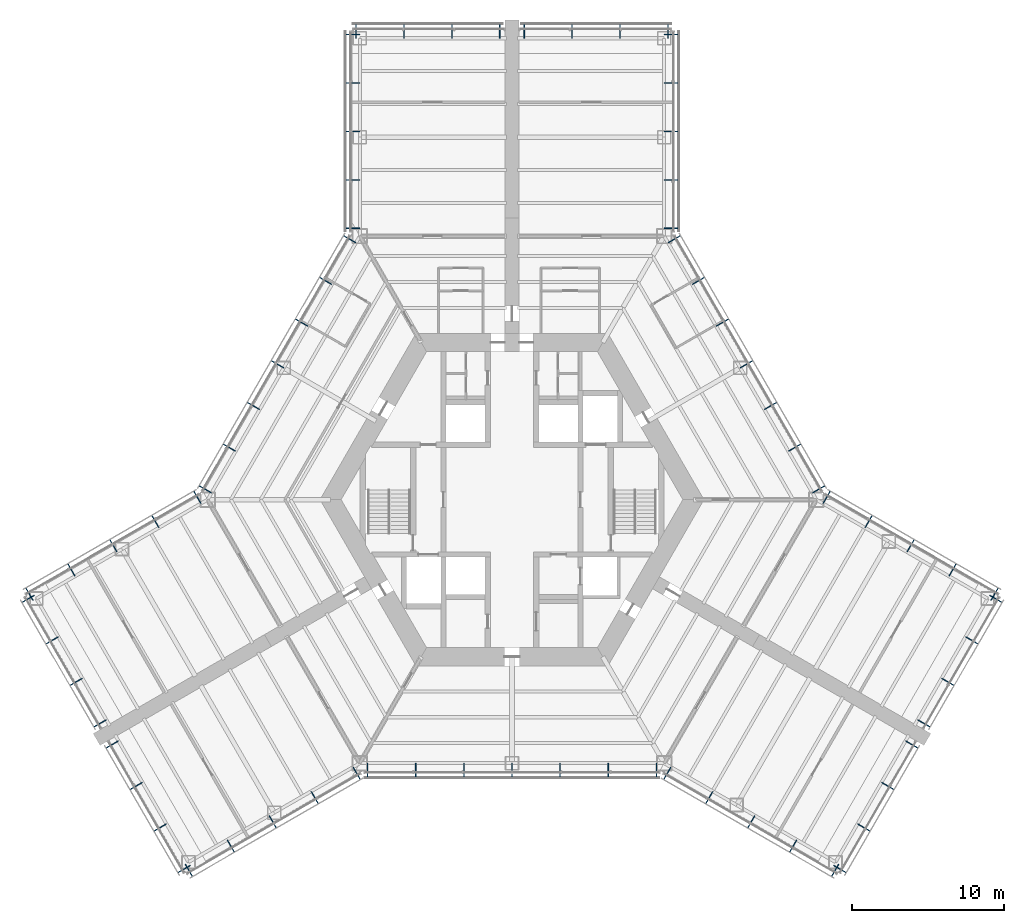
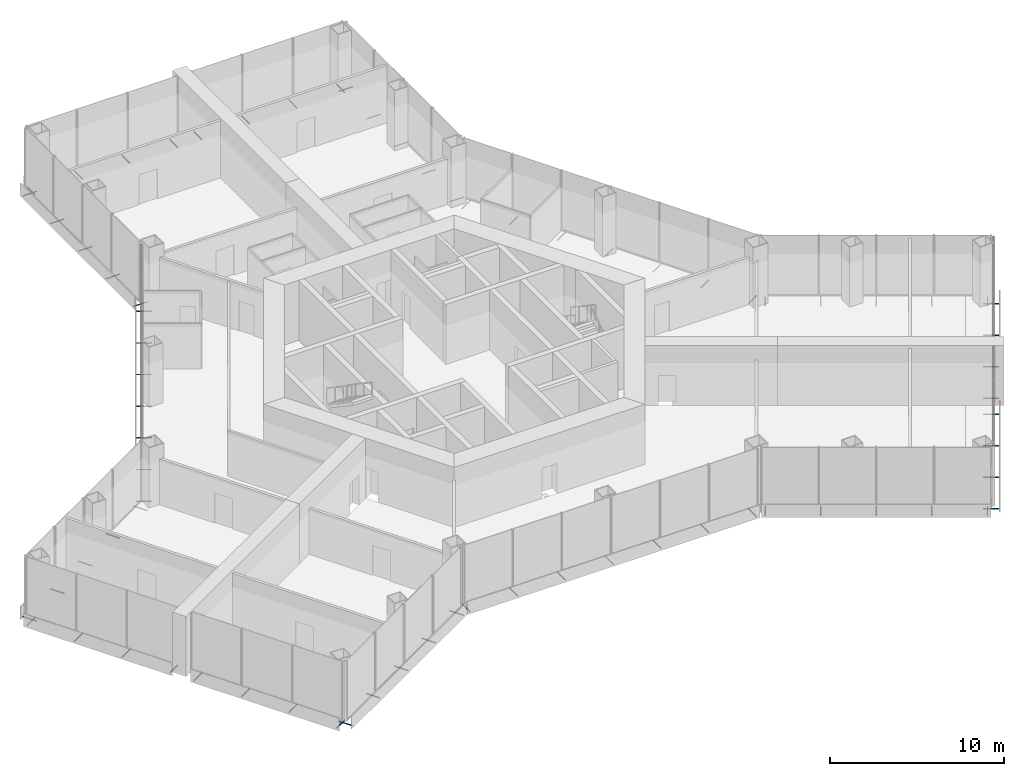
# One storey, part 14 of 16: 75 discrete accessories.
"""IFC4 building model written with IfcOpenShell, lengths in metres."""

import ifcopenshell
import ifcopenshell.guid

model = None  # the IFC model being written
_history = None  # IfcOwnerHistory: only IFC2X3 demands one
_inside = {}  # id of a spatial element -> (the spatial element, [elements in it])
_under = {}  # id of a project, library or spatial element -> (it, [spatial elements below it])
_declared = {}  # id of a project -> (the project, [libraries it declares])
_typed = {}  # id of a type object -> (the type object, [elements of that type])
_made_of = {}  # id of a material, layer set ... -> (it, [elements and type objects made of it])


def new_model(schema):
    """Start an empty IFC model of exactly this schema.

    Asked for "IFC4X3", IfcOpenShell would pick the latest addendum, in which some entities
    have other attributes; the version numbers below select the first issue.
    IFC2X3 requires an IfcOwnerHistory on every rooted entity: one is made here for all.
    """
    global model, _history
    if schema == "IFC4X3":
        model = ifcopenshell.file(schema_version=(4, 3, 0, 0))
    else:
        model = ifcopenshell.file(schema=schema)
    _inside.clear()
    _under.clear()
    _declared.clear()
    _typed.clear()
    _made_of.clear()
    _history = None
    if model.schema == "IFC2X3":
        org = make("IfcOrganization", Name="unknown")
        user = make(
            "IfcPersonAndOrganization",
            ThePerson=make("IfcPerson", FamilyName="unknown"),
            TheOrganization=org,
        )
        app = make(
            "IfcApplication",
            ApplicationDeveloper=org,
            Version="unknown",
            ApplicationFullName="unknown",
            ApplicationIdentifier="unknown",
        )
        _history = make(
            "IfcOwnerHistory",
            OwningUser=user,
            OwningApplication=app,
            ChangeAction="ADDED",
            CreationDate=0,
        )
    return model


def make(cls, **values):
    """One entity of the class cls with the attributes given. An attribute that is None is left unset."""
    return model.create_entity(
        cls, **{name: value for name, value in values.items() if value is not None}
    )


def rooted(cls, **values):
    """An entity with a GlobalId (a new one), such as an element, a storey or a relation."""
    return make(cls, GlobalId=ifcopenshell.guid.new(), OwnerHistory=_history, **values)


def si_unit(unit_type, name, prefix=None):
    """IfcSIUnit, for example si_unit("LENGTHUNIT", "METRE", prefix="MILLI")."""
    return make("IfcSIUnit", UnitType=unit_type, Prefix=prefix, Name=name)


def assignment(units):
    """IfcUnitAssignment: the units of a project."""
    return None if units is None else make("IfcUnitAssignment", Units=units)


def point(xyz):
    """IfcCartesianPoint."""
    return None if xyz is None else make("IfcCartesianPoint", Coordinates=xyz)


def direction(xyz):
    """IfcDirection."""
    return None if xyz is None else make("IfcDirection", DirectionRatios=xyz)


def frame(location, z_axis=None, x_axis=None):
    """IfcAxis2Placement3D, a coordinate frame: its origin and axes. An axis left out is left unset."""
    return make(
        "IfcAxis2Placement3D",
        Location=point(location),
        Axis=direction(z_axis),
        RefDirection=direction(x_axis),
    )


def frame_2d(location, x_axis=None):
    """IfcAxis2Placement2D, a coordinate frame in the plane: its origin and x axis."""
    return make(
        "IfcAxis2Placement2D", Location=point(location), RefDirection=direction(x_axis)
    )


def origin():
    """The frame at (0, 0, 0) with its axes left unset."""
    return frame((0.0, 0.0, 0.0))


def origin_2d():
    """The frame at (0, 0) in the plane with its x axis left unset."""
    return frame_2d((0.0, 0.0))


def place(relative_to, where):
    """IfcLocalPlacement: puts the frame where relative to a parent placement (None: the world)."""
    return make(
        "IfcLocalPlacement", PlacementRelTo=relative_to, RelativePlacement=where
    )


def context(
    kind, dimensions, precision=None, world=None, true_north=None, identifier=None
):
    """IfcGeometricRepresentationContext, for example the 3D "Model" context."""
    return make(
        "IfcGeometricRepresentationContext",
        ContextIdentifier=identifier,
        ContextType=kind,
        CoordinateSpaceDimension=dimensions,
        Precision=precision,
        WorldCoordinateSystem=world,
        TrueNorth=true_north,
    )


def subcontext(parent, identifier, kind, view, scale=None):
    """IfcGeometricRepresentationSubContext, for example "Body" below "Model"."""
    return make(
        "IfcGeometricRepresentationSubContext",
        ContextIdentifier=identifier,
        ContextType=kind,
        ParentContext=parent,
        TargetScale=scale,
        TargetView=view,
    )


def project(units=None, contexts=None):
    """IfcProject with its units and contexts."""
    return rooted(
        "IfcProject",
        Name="project",
        RepresentationContexts=contexts,
        UnitsInContext=assignment(units),
    )


def spatial(cls, under=None, at=None, **own):
    """A site, building, storey or space (cls), placed at a placement, below another one or the project."""
    s = rooted(cls, ObjectPlacement=at, **own)
    if under is not None:
        _under.setdefault(under.id(), (under, []))[1].append(s)
    return s


def profile(cls, at=None, kind="AREA", **sizes):
    """A parametric profile (cls). Its sizes go by their IFC names, for example OverallWidth=200.0."""
    return make(cls, ProfileType=kind, Position=at, **sizes)


def hollow_circle(**sizes):
    """IfcCircleHollowProfileDef."""
    return profile("IfcCircleHollowProfileDef", **sizes)


def extrude(swept, where, along, depth):
    """IfcExtrudedAreaSolid: the profile swept, set in the frame where, extruded along a direction by depth."""
    return make(
        "IfcExtrudedAreaSolid",
        SweptArea=swept,
        Position=where,
        ExtrudedDirection=direction(along),
        Depth=depth,
    )


def shape(context_of_items, identifier, shape_type, items):
    """IfcShapeRepresentation: the items that make up one representation, for example the "Body"."""
    return make(
        "IfcShapeRepresentation",
        ContextOfItems=context_of_items,
        RepresentationIdentifier=identifier,
        RepresentationType=shape_type,
        Items=items,
    )


def material(Name=None, Category=None):
    """IfcMaterial."""
    return make("IfcMaterial", Name=Name, Category=Category)


def material_profile(
    of_material, cross_section, Name=None, Category=None, Priority=None
):
    """IfcMaterialProfile: a cross section and its material."""
    return make(
        "IfcMaterialProfile",
        Name=Name,
        Material=of_material,
        Profile=cross_section,
        Priority=Priority,
        Category=Category,
    )


def profile_set(profiles, Name=None, composite=None):
    """IfcMaterialProfileSet."""
    return make(
        "IfcMaterialProfileSet",
        Name=Name,
        MaterialProfiles=profiles,
        CompositeProfile=composite,
    )


def made_of(thing, what):
    """Note that an element or type object is made of a material, layer set ...; save() writes the relation."""
    if what is not None:
        _made_of.setdefault(what.id(), (what, []))[1].append(thing)
    return thing


def type_object(cls, material=None, **own):
    """A type object (cls), such as IfcWallType, which elements share."""
    return made_of(rooted(cls, **own), material)


def element(
    cls,
    number,
    at=None,
    inside=None,
    cuts=None,
    type_object=None,
    material=None,
    context=None,
    identifier="Body",
    shape_type=None,
    held_by="IfcProductDefinitionShape",
    body=None,
    shapes=None,
    **own,
):
    """One element of the class cls, such as IfcWall. Its Tag is "e" and its number.

    at: its placement. inside: the storey or other place that contains it. cuts: it is an
    opening in that element (IfcRelVoidsElement). A single representation is given by context,
    identifier, shape_type and body (its items); several are given by shapes. held_by: the class
    of the entity that holds the representations. save() writes the other relations.
    """
    e = rooted(cls, Tag="e%d" % number, ObjectPlacement=at, **own)
    if body is not None:
        shapes = [shape(context, identifier, shape_type, body)]
    if shapes is not None:
        e.Representation = make(held_by, Representations=shapes)
    if inside is not None:
        _inside.setdefault(inside.id(), (inside, []))[1].append(e)
    if cuts is not None:
        rooted(
            "IfcRelVoidsElement", RelatingBuildingElement=cuts, RelatedOpeningElement=e
        )
    if type_object is not None:
        _typed.setdefault(type_object.id(), (type_object, []))[1].append(e)
    return made_of(e, material)


def aggregate(whole, parts):
    """IfcRelAggregates: a whole, such as a stair, and the parts it consists of."""
    return rooted("IfcRelAggregates", RelatingObject=whole, RelatedObjects=parts)


def save(model, path):
    """Write the relations noted so far, then the file.

    IfcRelAggregates (storeys below a building ...), IfcRelContainedInSpatialStructure (elements
    in a storey), IfcRelDefinesByType, IfcRelAssociatesMaterial and IfcRelDeclares: one each for
    every whole, place, type object, material and project.
    """
    for whole, parts in _under.values():
        aggregate(whole, parts)
    for where, things in _inside.values():
        rooted(
            "IfcRelContainedInSpatialStructure",
            RelatedElements=things,
            RelatingStructure=where,
        )
    for kind, things in _typed.values():
        rooted("IfcRelDefinesByType", RelatedObjects=things, RelatingType=kind)
    for what, things in _made_of.values():
        rooted("IfcRelAssociatesMaterial", RelatedObjects=things, RelatingMaterial=what)
    for by, libraries in _declared.values():
        rooted("IfcRelDeclares", RelatingContext=by, RelatedDefinitions=libraries)
    model.write(path)


model = new_model("IFC4")

# Units and contexts
model_context = context("Model", 3, precision=1e-05, world=origin(), true_north=direction((0.0, 1.0)))
body_context = subcontext(model_context, "Body", "Model", "MODEL_VIEW")
ifc_project = project(units=[si_unit("LENGTHUNIT", "METRE"), si_unit("AREAUNIT", "SQUARE_METRE"), si_unit("VOLUMEUNIT", "CUBIC_METRE"), si_unit("PLANEANGLEUNIT", "RADIAN"), si_unit("MASSUNIT", "GRAM", prefix="KILO")], contexts=[model_context])

# Site, building, storey
site_placement = place(None, origin())
site = spatial("IfcSite", under=ifc_project, at=site_placement, CompositionType="ELEMENT")
building_placement = place(site_placement, origin())
building = spatial("IfcBuilding", under=site, at=building_placement, Name="Kasaneha Research Tower", CompositionType="ELEMENT")
storey_placement = place(building_placement, frame((0.0, 0.0, 18.39990234375)))
storey = spatial("IfcBuildingStorey", under=building, at=storey_placement, Name="L05", CompositionType="ELEMENT", Elevation=18.39990234375)

# Discrete accessories
ifc_material = material(Name="Steel STK400", Category="steel")
ifc_material_profile = material_profile(ifc_material, hollow_circle(Radius=0.0380859375, WallThickness=0.00390625, at=origin_2d()), Name="CHS-76.3x4.0")
ifc_profile_set = profile_set([ifc_material_profile], Name="Steel STK400")
discrete_accessory_type = type_object("IfcDiscreteAccessoryType", Name="Screen bracket CHS-76.3x4.0", PredefinedType="BRACKET", material=ifc_profile_set)
discrete_accessory_1_placement = place(storey_placement, frame((-21.474853515625, -23.945556640625, -0.349853515625), z_axis=(0.500021113727, -0.866013213425, 0.0), x_axis=(0.866013213425, 0.500021113727, 0.0)))
element("IfcDiscreteAccessory", 1, at=discrete_accessory_1_placement, inside=storey, type_object=discrete_accessory_type, Name="Screen bracket 1", PredefinedType="BRACKET", context=body_context, shape_type="SweptSolid", body=[
    extrude(hollow_circle(Radius=0.0380859375, WallThickness=0.00390625, at=origin_2d()), origin(), (0.0, 0.0, 1.0), 0.919921875),
])
discrete_accessory_2_placement = place(storey_placement, frame((-18.716796875, -22.35302734375, -0.349853515625), z_axis=(0.500105201737, -0.865964657013, 0.0), x_axis=(0.865964657013, 0.500105201737, 0.0)))
element("IfcDiscreteAccessory", 2, at=discrete_accessory_2_placement, inside=storey, type_object=discrete_accessory_type, Name="Screen bracket 2", PredefinedType="BRACKET", context=body_context, shape_type="SweptSolid", body=[
    extrude(hollow_circle(Radius=0.0380859375, WallThickness=0.00390625, at=origin_2d()), origin(), (0.0, 0.0, 1.0), 0.920166015625),
])
discrete_accessory_3_placement = place(storey_placement, frame((-15.95849609375, -20.7607421875, -0.349853515625), z_axis=(0.500021113727, -0.866013213425, 0.0), x_axis=(0.866013213425, 0.500021113727, 0.0)))
element("IfcDiscreteAccessory", 3, at=discrete_accessory_3_placement, inside=storey, type_object=discrete_accessory_type, Name="Screen bracket 3", PredefinedType="BRACKET", context=body_context, shape_type="SweptSolid", body=[
    extrude(hollow_circle(Radius=0.0380859375, WallThickness=0.00390625, at=origin_2d()), origin(), (0.0, 0.0, 1.0), 0.919921875),
])
discrete_accessory_4_placement = place(storey_placement, frame((-13.200439453125, -19.168212890625, -0.349853515625), z_axis=(0.499906209203, -0.866079547155, 0.0), x_axis=(0.866079547155, 0.499906209203, 0.0)))
element("IfcDiscreteAccessory", 4, at=discrete_accessory_4_placement, inside=storey, type_object=discrete_accessory_type, Name="Screen bracket 4", PredefinedType="BRACKET", context=body_context, shape_type="SweptSolid", body=[
    extrude(hollow_circle(Radius=0.0380859375, WallThickness=0.00390625, at=origin_2d()), origin(), (0.0, 0.0, 1.0), 0.920166015625),
])
for number, where, z_axis, x_axis, name in (
    (5, (-10.4423828125, -17.575927734375, -0.349853515625), (0.500021113727, -0.866013213425, 0.0), (0.866013213425, 0.500021113727, 0.0), "Screen bracket 5"),
    (6, (-9.4892578125, -17.320556640625, -0.349853515625), (0.0, -1.0, 0.0), (1.0, 0.0, 0.0), "Screen bracket 1"),
    (7, (-6.326171875, -17.320556640625, -0.349853515625), (0.0, -1.0, 0.0), (1.0, 0.0, 0.0), "Screen bracket 2"),
    (8, (-3.1630859375, -17.320556640625, -0.349853515625), (0.0, -1.0, 0.0), (1.0, 0.0, 0.0), "Screen bracket 3"),
    (9, (0.0, -17.320556640625, -0.349853515625), (0.0, -1.0, 0.0), (1.0, 0.0, 0.0), "Screen bracket 4"),
    (10, (3.1630859375, -17.320556640625, -0.349853515625), (0.0, -1.0, 0.0), (1.0, 0.0, 0.0), "Screen bracket 5"),
    (11, (6.326171875, -17.320556640625, -0.349853515625), (0.0, -1.0, 0.0), (1.0, 0.0, 0.0), "Screen bracket 6"),
    (12, (9.4892578125, -17.320556640625, -0.349853515625), (0.0, -1.0, 0.0), (1.0, 0.0, 0.0), "Screen bracket 7"),
    (13, (10.4423828125, -17.575927734375, -0.349853515625), (-0.500021113727, -0.866013213425, 0.0), (0.866013213425, -0.500021113727, 0.0), "Screen bracket 1"),
):
    element("IfcDiscreteAccessory", number, at=place(storey_placement, frame(where, z_axis=z_axis, x_axis=x_axis)), inside=storey, type_object=discrete_accessory_type, Name=name, PredefinedType="BRACKET", context=body_context, shape_type="SweptSolid", body=[
        extrude(hollow_circle(Radius=0.0380859375, WallThickness=0.00390625, at=origin_2d()), origin(), (0.0, 0.0, 1.0), 0.919921875),
    ])
discrete_accessory_5_placement = place(storey_placement, frame((13.200439453125, -19.168212890625, -0.349853515625), z_axis=(-0.499906209203, -0.866079547155, 0.0), x_axis=(0.866079547155, -0.499906209203, 0.0)))
element("IfcDiscreteAccessory", 14, at=discrete_accessory_5_placement, inside=storey, type_object=discrete_accessory_type, Name="Screen bracket 2", PredefinedType="BRACKET", context=body_context, shape_type="SweptSolid", body=[
    extrude(hollow_circle(Radius=0.0380859375, WallThickness=0.00390625, at=origin_2d()), origin(), (0.0, 0.0, 1.0), 0.920166015625),
])
discrete_accessory_6_placement = place(storey_placement, frame((15.95849609375, -20.7607421875, -0.349853515625), z_axis=(-0.500021113727, -0.866013213425, 0.0), x_axis=(0.866013213425, -0.500021113727, 0.0)))
element("IfcDiscreteAccessory", 15, at=discrete_accessory_6_placement, inside=storey, type_object=discrete_accessory_type, Name="Screen bracket 3", PredefinedType="BRACKET", context=body_context, shape_type="SweptSolid", body=[
    extrude(hollow_circle(Radius=0.0380859375, WallThickness=0.00390625, at=origin_2d()), origin(), (0.0, 0.0, 1.0), 0.919921875),
])
discrete_accessory_7_placement = place(storey_placement, frame((18.716796875, -22.35302734375, -0.349853515625), z_axis=(-0.500105201737, -0.865964657013, 0.0), x_axis=(0.865964657013, -0.500105201737, 0.0)))
element("IfcDiscreteAccessory", 16, at=discrete_accessory_7_placement, inside=storey, type_object=discrete_accessory_type, Name="Screen bracket 4", PredefinedType="BRACKET", context=body_context, shape_type="SweptSolid", body=[
    extrude(hollow_circle(Radius=0.0380859375, WallThickness=0.00390625, at=origin_2d()), origin(), (0.0, 0.0, 1.0), 0.920166015625),
])
discrete_accessory_8_placement = place(storey_placement, frame((21.474853515625, -23.945556640625, -0.349853515625), z_axis=(-0.500021113727, -0.866013213425, 0.0), x_axis=(0.866013213425, -0.500021113727, 0.0)))
element("IfcDiscreteAccessory", 17, at=discrete_accessory_8_placement, inside=storey, type_object=discrete_accessory_type, Name="Screen bracket 5", PredefinedType="BRACKET", context=body_context, shape_type="SweptSolid", body=[
    extrude(hollow_circle(Radius=0.0380859375, WallThickness=0.00390625, at=origin_2d()), origin(), (0.0, 0.0, 1.0), 0.919921875),
])
for number, where, z_axis, x_axis, name in (
    (18, (21.13330078125, -24.037109375, -0.349853515625), (0.866079547155, -0.499906209203, 0.0), (0.499906209203, 0.866079547155, 0.0), "Screen bracket 1"),
    (19, (22.708251953125, -21.30908203125, -0.349853515625), (0.866079547155, -0.499906209203, 0.0), (0.499906209203, 0.866079547155, 0.0), "Screen bracket 2"),
):
    element("IfcDiscreteAccessory", number, at=place(storey_placement, frame(where, z_axis=z_axis, x_axis=x_axis)), inside=storey, type_object=discrete_accessory_type, Name=name, PredefinedType="BRACKET", context=body_context, shape_type="SweptSolid", body=[
        extrude(hollow_circle(Radius=0.0380859375, WallThickness=0.00390625, at=origin_2d()), origin(), (0.0, 0.0, 1.0), 0.920166015625),
    ])
for number, where, z_axis, x_axis, name in (
    (20, (24.283447265625, -18.5810546875, -0.349853515625), (0.866013213425, -0.500021113727, 0.0), (0.500021113727, 0.866013213425, 0.0), "Screen bracket 3"),
    (21, (25.8583984375, -15.85302734375, -0.349853515625), (0.866013213425, -0.500021113727, 0.0), (0.500021113727, 0.866013213425, 0.0), "Screen bracket 4"),
    (22, (26.658447265625, -14.467529296875, -0.349853515625), (0.866013213425, -0.500021113727, 0.0), (0.500021113727, 0.866013213425, 0.0), "Screen bracket 1"),
    (23, (28.2333984375, -11.739501953125, -0.349853515625), (0.866013213425, -0.500021113727, 0.0), (0.500021113727, 0.866013213425, 0.0), "Screen bracket 2"),
    (24, (29.808349609375, -9.011474609375, -0.349853515625), (0.866013213425, -0.500021113727, 0.0), (0.500021113727, 0.866013213425, 0.0), "Screen bracket 3"),
):
    element("IfcDiscreteAccessory", number, at=place(storey_placement, frame(where, z_axis=z_axis, x_axis=x_axis)), inside=storey, type_object=discrete_accessory_type, Name=name, PredefinedType="BRACKET", context=body_context, shape_type="SweptSolid", body=[
        extrude(hollow_circle(Radius=0.0380859375, WallThickness=0.00390625, at=origin_2d()), origin(), (0.0, 0.0, 1.0), 0.919921875),
    ])
discrete_accessory_9_placement = place(storey_placement, frame((31.38330078125, -6.283447265625, -0.349853515625), z_axis=(0.866079547155, -0.499906209203, 0.0), x_axis=(0.499906209203, 0.866079547155, 0.0)))
element("IfcDiscreteAccessory", 25, at=discrete_accessory_9_placement, inside=storey, type_object=discrete_accessory_type, Name="Screen bracket 4", PredefinedType="BRACKET", context=body_context, shape_type="SweptSolid", body=[
    extrude(hollow_circle(Radius=0.0380859375, WallThickness=0.00390625, at=origin_2d()), origin(), (0.0, 0.0, 1.0), 0.920166015625),
])
discrete_accessory_10_placement = place(storey_placement, frame((31.474853515625, -6.625, -0.349853515625), z_axis=(0.500021113727, 0.866013213425, 0.0), x_axis=(-0.866013213425, 0.500021113727, 0.0)))
element("IfcDiscreteAccessory", 26, at=discrete_accessory_10_placement, inside=storey, type_object=discrete_accessory_type, Name="Screen bracket 1", PredefinedType="BRACKET", context=body_context, shape_type="SweptSolid", body=[
    extrude(hollow_circle(Radius=0.0380859375, WallThickness=0.00390625, at=origin_2d()), origin(), (0.0, 0.0, 1.0), 0.919921875),
])
discrete_accessory_11_placement = place(storey_placement, frame((28.716796875, -5.03271484375, -0.349853515625), z_axis=(0.499906209203, 0.866079547155, 0.0), x_axis=(-0.866079547155, 0.499906209203, 0.0)))
element("IfcDiscreteAccessory", 27, at=discrete_accessory_11_placement, inside=storey, type_object=discrete_accessory_type, Name="Screen bracket 2", PredefinedType="BRACKET", context=body_context, shape_type="SweptSolid", body=[
    extrude(hollow_circle(Radius=0.0380859375, WallThickness=0.00390625, at=origin_2d()), origin(), (0.0, 0.0, 1.0), 0.920166015625),
])
discrete_accessory_12_placement = place(storey_placement, frame((25.95849609375, -3.440185546875, -0.349853515625), z_axis=(0.500220121494, 0.865898279276, 0.0), x_axis=(-0.865898279276, 0.500220121494, 0.0)))
element("IfcDiscreteAccessory", 28, at=discrete_accessory_12_placement, inside=storey, type_object=discrete_accessory_type, Name="Screen bracket 3", PredefinedType="BRACKET", context=body_context, shape_type="SweptSolid", body=[
    extrude(hollow_circle(Radius=0.0380859375, WallThickness=0.00390625, at=origin_2d()), origin(), (0.0, 0.0, 1.0), 0.919921875),
])
discrete_accessory_13_placement = place(storey_placement, frame((23.200439453125, -1.847900390625, -0.349853515625), z_axis=(0.499906209203, 0.866079547155, 0.0), x_axis=(-0.866079547155, 0.499906209203, 0.0)))
element("IfcDiscreteAccessory", 29, at=discrete_accessory_13_placement, inside=storey, type_object=discrete_accessory_type, Name="Screen bracket 4", PredefinedType="BRACKET", context=body_context, shape_type="SweptSolid", body=[
    extrude(hollow_circle(Radius=0.0380859375, WallThickness=0.00390625, at=origin_2d()), origin(), (0.0, 0.0, 1.0), 0.920166015625),
])
for number, where, z_axis, x_axis, name in (
    (30, (20.4423828125, -0.25537109375, -0.349853515625), (0.500021113727, 0.866013213425, 0.0), (-0.866013213425, 0.500021113727, 0.0), "Screen bracket 5"),
    (31, (19.74462890625, 0.4423828125, -0.349853515625), (0.866013213425, 0.500021113727, 0.0), (-0.500021113727, 0.866013213425, 0.0), "Screen bracket 1"),
    (32, (18.1630859375, 3.181640625, -0.349853515625), (0.866013213425, 0.500021113727, 0.0), (-0.500021113727, 0.866013213425, 0.0), "Screen bracket 2"),
    (33, (16.58154296875, 5.9208984375, -0.349853515625), (0.866013213425, 0.500021113727, 0.0), (-0.500021113727, 0.866013213425, 0.0), "Screen bracket 3"),
    (34, (15.0, 8.66015625, -0.349853515625), (0.865898279276, 0.500220121494, 0.0), (-0.500220121494, 0.865898279276, 0.0), "Screen bracket 4"),
    (35, (13.41845703125, 11.399658203125, -0.349853515625), (0.866013213425, 0.500021113727, 0.0), (-0.500021113727, 0.866013213425, 0.0), "Screen bracket 5"),
    (36, (11.8369140625, 14.138916015625, -0.349853515625), (0.866013213425, 0.500021113727, 0.0), (-0.500021113727, 0.866013213425, 0.0), "Screen bracket 6"),
):
    element("IfcDiscreteAccessory", number, at=place(storey_placement, frame(where, z_axis=z_axis, x_axis=x_axis)), inside=storey, type_object=discrete_accessory_type, Name=name, PredefinedType="BRACKET", context=body_context, shape_type="SweptSolid", body=[
        extrude(hollow_circle(Radius=0.0380859375, WallThickness=0.00390625, at=origin_2d()), origin(), (0.0, 0.0, 1.0), 0.919921875),
    ])
discrete_accessory_14_placement = place(storey_placement, frame((10.25537109375, 16.878173828125, -0.349853515625), z_axis=(0.866079547155, 0.499906209203, 0.0), x_axis=(-0.499906209203, 0.866079547155, 0.0)))
element("IfcDiscreteAccessory", 37, at=discrete_accessory_14_placement, inside=storey, type_object=discrete_accessory_type, Name="Screen bracket 7", PredefinedType="BRACKET", context=body_context, shape_type="SweptSolid", body=[
    extrude(hollow_circle(Radius=0.0380859375, WallThickness=0.00390625, at=origin_2d()), origin(), (0.0, 0.0, 1.0), 0.920166015625),
])
for number, where, z_axis, x_axis, name in (
    (38, (10.0, 17.831298828125, -0.349853515625), (1.0, 0.0, 0.0), (0.0, 1.0, 0.0), "Screen bracket 1"),
    (39, (10.0, 21.01611328125, -0.349853515625), (1.0, 0.0, 0.0), (0.0, 1.0, 0.0), "Screen bracket 2"),
    (40, (10.0, 24.200927734375, -0.349853515625), (1.0, 0.0, 0.0), (0.0, 1.0, 0.0), "Screen bracket 3"),
    (41, (10.0, 27.3857421875, -0.349853515625), (1.0, 0.0, 0.0), (0.0, 1.0, 0.0), "Screen bracket 4"),
    (42, (10.0, 30.570556640625, -0.349853515625), (1.0, 0.0, 0.0), (0.0, 1.0, 0.0), "Screen bracket 5"),
    (43, (10.25, 30.320556640625, -0.349853515625), (0.0, 1.0, 0.0), (-1.0, 0.0, 0.0), "Screen bracket 1"),
    (44, (7.10009765625, 30.320556640625, -0.349853515625), (0.0, 1.0, 0.0), (-1.0, 0.0, 0.0), "Screen bracket 2"),
    (45, (3.949951171875, 30.320556640625, -0.349853515625), (0.0, 1.0, 0.0), (-1.0, 0.0, 0.0), "Screen bracket 3"),
    (46, (0.800048828125, 30.320556640625, -0.349853515625), (0.0, 1.0, 0.0), (-1.0, 0.0, 0.0), "Screen bracket 4"),
    (47, (-0.800048828125, 30.320556640625, -0.349853515625), (0.0, 1.0, 0.0), (-1.0, 0.0, 0.0), "Screen bracket 1"),
    (48, (-3.949951171875, 30.320556640625, -0.349853515625), (0.0, 1.0, 0.0), (-1.0, 0.0, 0.0), "Screen bracket 2"),
    (49, (-7.10009765625, 30.320556640625, -0.349853515625), (0.0, 1.0, 0.0), (-1.0, 0.0, 0.0), "Screen bracket 3"),
    (50, (-10.25, 30.320556640625, -0.349853515625), (0.0, 1.0, 0.0), (-1.0, 0.0, 0.0), "Screen bracket 4"),
    (51, (-10.0, 30.570556640625, -0.349853515625), (-1.0, 0.0, 0.0), (0.0, -1.0, 0.0), "Screen bracket 1"),
    (52, (-10.0, 27.3857421875, -0.349853515625), (-1.0, 0.0, 0.0), (0.0, -1.0, 0.0), "Screen bracket 2"),
    (53, (-10.0, 24.200927734375, -0.349853515625), (-1.0, 0.0, 0.0), (0.0, -1.0, 0.0), "Screen bracket 3"),
    (54, (-10.0, 21.01611328125, -0.349853515625), (-1.0, 0.0, 0.0), (0.0, -1.0, 0.0), "Screen bracket 4"),
    (55, (-10.0, 17.831298828125, -0.349853515625), (-1.0, 0.0, 0.0), (0.0, -1.0, 0.0), "Screen bracket 5"),
):
    element("IfcDiscreteAccessory", number, at=place(storey_placement, frame(where, z_axis=z_axis, x_axis=x_axis)), inside=storey, type_object=discrete_accessory_type, Name=name, PredefinedType="BRACKET", context=body_context, shape_type="SweptSolid", body=[
        extrude(hollow_circle(Radius=0.0380859375, WallThickness=0.00390625, at=origin_2d()), origin(), (0.0, 0.0, 1.0), 0.919921875),
    ])
discrete_accessory_15_placement = place(storey_placement, frame((-10.25537109375, 16.878173828125, -0.349853515625), z_axis=(-0.866079547155, 0.499906209203, 0.0), x_axis=(-0.499906209203, -0.866079547155, 0.0)))
element("IfcDiscreteAccessory", 56, at=discrete_accessory_15_placement, inside=storey, type_object=discrete_accessory_type, Name="Screen bracket 1", PredefinedType="BRACKET", context=body_context, shape_type="SweptSolid", body=[
    extrude(hollow_circle(Radius=0.0380859375, WallThickness=0.00390625, at=origin_2d()), origin(), (0.0, 0.0, 1.0), 0.920166015625),
])
for number, where, z_axis, x_axis, name in (
    (57, (-11.8369140625, 14.138916015625, -0.349853515625), (-0.866013213425, 0.500021113727, 0.0), (-0.500021113727, -0.866013213425, 0.0), "Screen bracket 2"),
    (58, (-13.41845703125, 11.399658203125, -0.349853515625), (-0.866013213425, 0.500021113727, 0.0), (-0.500021113727, -0.866013213425, 0.0), "Screen bracket 3"),
    (59, (-15.0, 8.66015625, -0.349853515625), (-0.865898279276, 0.500220121494, 0.0), (-0.500220121494, -0.865898279276, 0.0), "Screen bracket 4"),
    (60, (-16.58154296875, 5.9208984375, -0.349853515625), (-0.866013213425, 0.500021113727, 0.0), (-0.500021113727, -0.866013213425, 0.0), "Screen bracket 5"),
    (61, (-18.1630859375, 3.181640625, -0.349853515625), (-0.866013213425, 0.500021113727, 0.0), (-0.500021113727, -0.866013213425, 0.0), "Screen bracket 6"),
    (62, (-19.74462890625, 0.4423828125, -0.349853515625), (-0.866013213425, 0.500021113727, 0.0), (-0.500021113727, -0.866013213425, 0.0), "Screen bracket 7"),
    (63, (-20.4423828125, -0.25537109375, -0.349853515625), (-0.500021113727, 0.866013213425, 0.0), (-0.866013213425, -0.500021113727, 0.0), "Screen bracket 1"),
):
    element("IfcDiscreteAccessory", number, at=place(storey_placement, frame(where, z_axis=z_axis, x_axis=x_axis)), inside=storey, type_object=discrete_accessory_type, Name=name, PredefinedType="BRACKET", context=body_context, shape_type="SweptSolid", body=[
        extrude(hollow_circle(Radius=0.0380859375, WallThickness=0.00390625, at=origin_2d()), origin(), (0.0, 0.0, 1.0), 0.919921875),
    ])
discrete_accessory_16_placement = place(storey_placement, frame((-23.200439453125, -1.847900390625, -0.349853515625), z_axis=(-0.499906209203, 0.866079547155, 0.0), x_axis=(-0.866079547155, -0.499906209203, 0.0)))
element("IfcDiscreteAccessory", 64, at=discrete_accessory_16_placement, inside=storey, type_object=discrete_accessory_type, Name="Screen bracket 2", PredefinedType="BRACKET", context=body_context, shape_type="SweptSolid", body=[
    extrude(hollow_circle(Radius=0.0380859375, WallThickness=0.00390625, at=origin_2d()), origin(), (0.0, 0.0, 1.0), 0.920166015625),
])
discrete_accessory_17_placement = place(storey_placement, frame((-25.95849609375, -3.440185546875, -0.349853515625), z_axis=(-0.500220121494, 0.865898279276, 0.0), x_axis=(-0.865898279276, -0.500220121494, 0.0)))
element("IfcDiscreteAccessory", 65, at=discrete_accessory_17_placement, inside=storey, type_object=discrete_accessory_type, Name="Screen bracket 3", PredefinedType="BRACKET", context=body_context, shape_type="SweptSolid", body=[
    extrude(hollow_circle(Radius=0.0380859375, WallThickness=0.00390625, at=origin_2d()), origin(), (0.0, 0.0, 1.0), 0.919921875),
])
discrete_accessory_18_placement = place(storey_placement, frame((-28.716796875, -5.03271484375, -0.349853515625), z_axis=(-0.499906209203, 0.866079547155, 0.0), x_axis=(-0.866079547155, -0.499906209203, 0.0)))
element("IfcDiscreteAccessory", 66, at=discrete_accessory_18_placement, inside=storey, type_object=discrete_accessory_type, Name="Screen bracket 4", PredefinedType="BRACKET", context=body_context, shape_type="SweptSolid", body=[
    extrude(hollow_circle(Radius=0.0380859375, WallThickness=0.00390625, at=origin_2d()), origin(), (0.0, 0.0, 1.0), 0.920166015625),
])
discrete_accessory_19_placement = place(storey_placement, frame((-31.474853515625, -6.625, -0.349853515625), z_axis=(-0.500021113727, 0.866013213425, 0.0), x_axis=(-0.866013213425, -0.500021113727, 0.0)))
element("IfcDiscreteAccessory", 67, at=discrete_accessory_19_placement, inside=storey, type_object=discrete_accessory_type, Name="Screen bracket 5", PredefinedType="BRACKET", context=body_context, shape_type="SweptSolid", body=[
    extrude(hollow_circle(Radius=0.0380859375, WallThickness=0.00390625, at=origin_2d()), origin(), (0.0, 0.0, 1.0), 0.919921875),
])
discrete_accessory_20_placement = place(storey_placement, frame((-31.38330078125, -6.283447265625, -0.349853515625), z_axis=(-0.866079547155, -0.499906209203, 0.0), x_axis=(0.499906209203, -0.866079547155, 0.0)))
element("IfcDiscreteAccessory", 68, at=discrete_accessory_20_placement, inside=storey, type_object=discrete_accessory_type, Name="Screen bracket 1", PredefinedType="BRACKET", context=body_context, shape_type="SweptSolid", body=[
    extrude(hollow_circle(Radius=0.0380859375, WallThickness=0.00390625, at=origin_2d()), origin(), (0.0, 0.0, 1.0), 0.920166015625),
])
for number, where, z_axis, x_axis, name in (
    (69, (-29.808349609375, -9.011474609375, -0.349853515625), (-0.866013213425, -0.500021113727, 0.0), (0.500021113727, -0.866013213425, 0.0), "Screen bracket 2"),
    (70, (-28.2333984375, -11.739501953125, -0.349853515625), (-0.866013213425, -0.500021113727, 0.0), (0.500021113727, -0.866013213425, 0.0), "Screen bracket 3"),
    (71, (-26.658447265625, -14.467529296875, -0.349853515625), (-0.866013213425, -0.500021113727, 0.0), (0.500021113727, -0.866013213425, 0.0), "Screen bracket 4"),
    (72, (-25.8583984375, -15.85302734375, -0.349853515625), (-0.866013213425, -0.500021113727, 0.0), (0.500021113727, -0.866013213425, 0.0), "Screen bracket 1"),
    (73, (-24.283447265625, -18.5810546875, -0.349853515625), (-0.866013213425, -0.500021113727, 0.0), (0.500021113727, -0.866013213425, 0.0), "Screen bracket 2"),
):
    element("IfcDiscreteAccessory", number, at=place(storey_placement, frame(where, z_axis=z_axis, x_axis=x_axis)), inside=storey, type_object=discrete_accessory_type, Name=name, PredefinedType="BRACKET", context=body_context, shape_type="SweptSolid", body=[
        extrude(hollow_circle(Radius=0.0380859375, WallThickness=0.00390625, at=origin_2d()), origin(), (0.0, 0.0, 1.0), 0.919921875),
    ])
for number, where, z_axis, x_axis, name in (
    (74, (-22.708251953125, -21.30908203125, -0.349853515625), (-0.866079547155, -0.499906209203, 0.0), (0.499906209203, -0.866079547155, 0.0), "Screen bracket 3"),
    (75, (-21.13330078125, -24.037109375, -0.349853515625), (-0.866079547155, -0.499906209203, 0.0), (0.499906209203, -0.866079547155, 0.0), "Screen bracket 4"),
):
    element("IfcDiscreteAccessory", number, at=place(storey_placement, frame(where, z_axis=z_axis, x_axis=x_axis)), inside=storey, type_object=discrete_accessory_type, Name=name, PredefinedType="BRACKET", context=body_context, shape_type="SweptSolid", body=[
        extrude(hollow_circle(Radius=0.0380859375, WallThickness=0.00390625, at=origin_2d()), origin(), (0.0, 0.0, 1.0), 0.920166015625),
    ])

save(model, "model.ifc")
